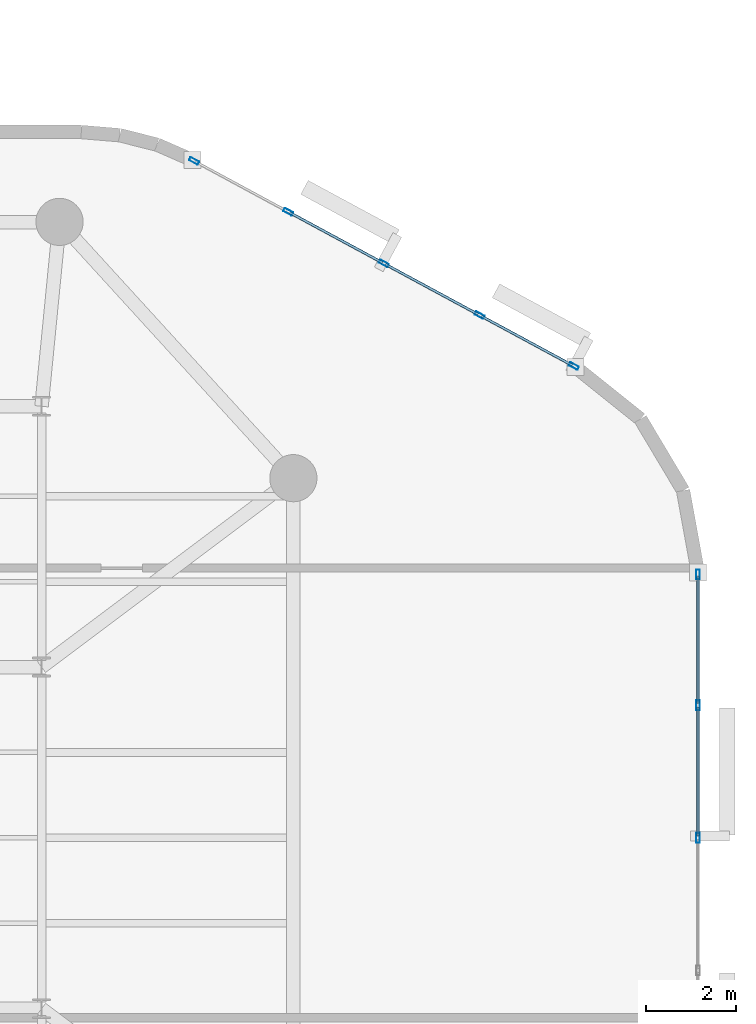
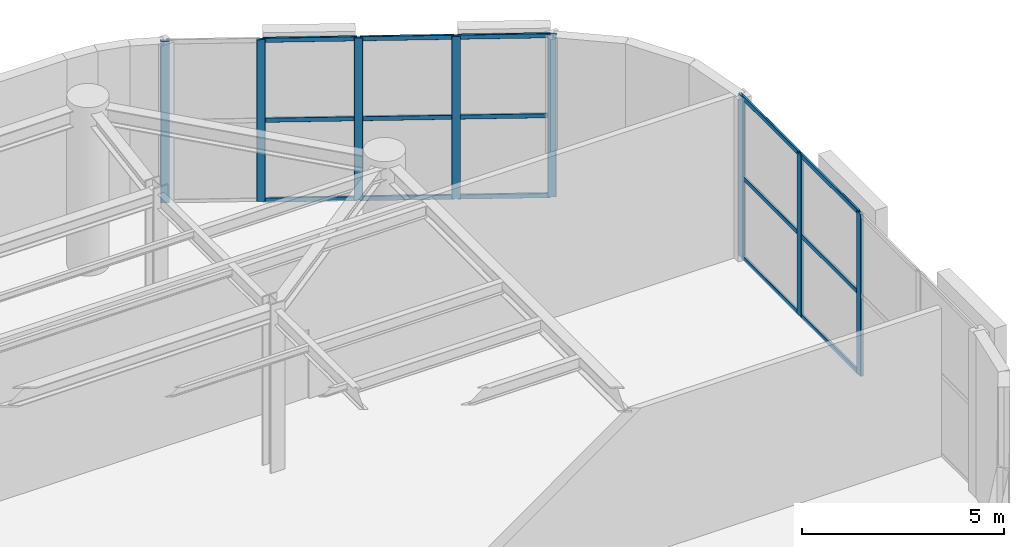
# One storey, part 5 of 11: 23 members, 2 elements without a shape of their own.
"""IFC4 building model written with IfcOpenShell, lengths in metres."""

from ifc_helpers import new_model, si_unit, direction, frame, origin, origin_2d, place, context, subcontext, project, spatial, hollow_rectangle, extrude, material, layer, layer_set, material_profile, profile_set, type_object, element, aggregate, save


model = new_model("IFC4")

# Units and contexts
model_context = context("Model", 3, precision=1e-05, world=origin(), true_north=direction((0.0, 1.0)))
body_context = subcontext(model_context, "Body", "Model", "MODEL_VIEW")
ifc_project = project(units=[si_unit("LENGTHUNIT", "METRE"), si_unit("AREAUNIT", "SQUARE_METRE"), si_unit("VOLUMEUNIT", "CUBIC_METRE"), si_unit("PLANEANGLEUNIT", "RADIAN"), si_unit("MASSUNIT", "GRAM", prefix="KILO")], contexts=[model_context])

# Site, building, storey
site_placement = place(None, origin())
site = spatial("IfcSite", under=ifc_project, at=site_placement, CompositionType="ELEMENT")
building_placement = place(site_placement, origin())
building = spatial("IfcBuilding", under=site, at=building_placement, Name="An Khanh Terracotta Commons", CompositionType="ELEMENT")
storey_placement = place(building_placement, frame((0.0, 0.0, 196.199951171875)))
storey = spatial("IfcBuildingStorey", under=building, at=storey_placement, Name="L51", CompositionType="ELEMENT", Elevation=196.199951171875)

# Curtain wall, members
ifc_material = material(Name="Anodised Aluminium 6063-T6", Category="aluminium")
ifc_layer = layer(ifc_material, 0.239990234375, Name="Anodised Aluminium 6063-T6")
ifc_layer_set = layer_set([ifc_layer], Name="Anodised Aluminium 6063-T6")
curtain_wall_type = type_object("IfcCurtainWallType", Name="CW-SYS-04", PredefinedType="USERDEFINED", material=ifc_layer_set)
curtain_wall_1_placement = place(storey_placement, origin())
curtain_wall_1 = element("IfcCurtainWall", 1, at=curtain_wall_1_placement, inside=storey, type_object=curtain_wall_type, Name="L51 CW-04 Unitised Curtain Wall CW-L51-12", ObjectType="UNITISED CURTAIN WALL", PredefinedType="USERDEFINED")
ifc_material_profile_1 = material_profile(ifc_material, hollow_rectangle(XDim=0.080078125, YDim=0.219970703125, WallThickness=0.0048828125, InnerFilletRadius=0.0048828125, OuterFilletRadius=0.010009765625, at=origin_2d()), Name="RHS220x80x5")
ifc_profile_set_1 = profile_set([ifc_material_profile_1], Name="Anodised Aluminium 6063-T6")
member_type_1 = type_object("IfcMemberType", Name="CWM-RHS220x80x5", PredefinedType="MULLION", material=ifc_profile_set_1)
member_1_placement = place(storey_placement, frame((68.60009765625, 24.0, 0.0), z_axis=(0.0, 0.0, 1.0), x_axis=(-1.0, 0.0, 0.0)))
member_1 = element("IfcMember", 2, at=member_1_placement, type_object=member_type_1, Name="CW-04 mullion 3", PredefinedType="MULLION", context=body_context, shape_type="SweptSolid", body=[
    extrude(hollow_rectangle(XDim=0.080078125, YDim=0.219970703125, WallThickness=0.0048828125, InnerFilletRadius=0.0048828125, OuterFilletRadius=0.010009765625, at=origin_2d()), origin(), (0.0, 0.0, 1.0), 4.900146484375),
])
member_2_placement = place(storey_placement, frame((68.60009765625, 26.949462890625, 0.0), z_axis=(0.0, 0.0, 1.0), x_axis=(-1.0, 0.0, 0.0)))
member_2 = element("IfcMember", 3, at=member_2_placement, type_object=member_type_1, Name="CW-04 mullion 4", PredefinedType="MULLION", context=body_context, shape_type="SweptSolid", body=[
    extrude(hollow_rectangle(XDim=0.080078125, YDim=0.219970703125, WallThickness=0.0048828125, InnerFilletRadius=0.0048828125, OuterFilletRadius=0.010009765625, at=origin_2d()), origin(), (0.0, 0.0, 1.0), 4.900146484375),
])
member_3_placement = place(storey_placement, frame((68.60009765625, 29.85888671875, 0.0), z_axis=(0.0, 0.0, 1.0), x_axis=(-1.0, 0.0, 0.0)))
member_3 = element("IfcMember", 4, at=member_3_placement, type_object=member_type_1, Name="CW-04 mullion 5", PredefinedType="MULLION", context=body_context, shape_type="SweptSolid", body=[
    extrude(hollow_rectangle(XDim=0.080078125, YDim=0.219970703125, WallThickness=0.0048828125, InnerFilletRadius=0.0048828125, OuterFilletRadius=0.010009765625, at=origin_2d()), origin(), (0.0, 0.0, 1.0), 4.900146484375),
])

curtain_wall_2_placement = place(storey_placement, origin())
curtain_wall_2 = element("IfcCurtainWall", 5, at=curtain_wall_2_placement, inside=storey, type_object=curtain_wall_type, Name="L51 CW-04 Unitised Curtain Wall CW-L51-16", ObjectType="UNITISED CURTAIN WALL", PredefinedType="USERDEFINED")
member_4_placement = place(storey_placement, frame((65.8369140625, 34.492919921875, 0.0), z_axis=(0.0, 0.0, 1.0), x_axis=(-0.47538088298, -0.879780095306, 0.0)))
member_4 = element("IfcMember", 6, at=member_4_placement, type_object=member_type_1, Name="CW-04 mullion 1", PredefinedType="MULLION", context=body_context, shape_type="SweptSolid", body=[
    extrude(hollow_rectangle(XDim=0.080078125, YDim=0.219970703125, WallThickness=0.0048828125, InnerFilletRadius=0.0048828125, OuterFilletRadius=0.010009765625, at=origin_2d()), origin(), (0.0, 0.0, 1.0), 4.900146484375),
])
member_5_placement = place(storey_placement, frame((63.7431640625, 35.624267578125, 0.0), z_axis=(0.0, 0.0, 1.0), x_axis=(-0.47538088298, -0.879780095306, 0.0)))
member_5 = element("IfcMember", 7, at=member_5_placement, type_object=member_type_1, Name="CW-04 mullion 2", PredefinedType="MULLION", context=body_context, shape_type="SweptSolid", body=[
    extrude(hollow_rectangle(XDim=0.080078125, YDim=0.219970703125, WallThickness=0.0048828125, InnerFilletRadius=0.0048828125, OuterFilletRadius=0.010009765625, at=origin_2d()), origin(), (0.0, 0.0, 1.0), 4.900146484375),
])
member_6_placement = place(storey_placement, frame((61.614501953125, 36.7744140625, 0.0), z_axis=(0.0, 0.0, 1.0), x_axis=(-0.47538088298, -0.879780095306, 0.0)))
member_6 = element("IfcMember", 8, at=member_6_placement, type_object=member_type_1, Name="CW-04 mullion 3", PredefinedType="MULLION", context=body_context, shape_type="SweptSolid", body=[
    extrude(hollow_rectangle(XDim=0.080078125, YDim=0.219970703125, WallThickness=0.0048828125, InnerFilletRadius=0.0048828125, OuterFilletRadius=0.010009765625, at=origin_2d()), origin(), (0.0, 0.0, 1.0), 4.900146484375),
])
member_7_placement = place(storey_placement, frame((59.48583984375, 37.9248046875, 0.0), z_axis=(0.0, 0.0, 1.0), x_axis=(-0.47538088298, -0.879780095306, 0.0)))
member_7 = element("IfcMember", 9, at=member_7_placement, type_object=member_type_1, Name="CW-04 mullion 4", PredefinedType="MULLION", context=body_context, shape_type="SweptSolid", body=[
    extrude(hollow_rectangle(XDim=0.080078125, YDim=0.219970703125, WallThickness=0.0048828125, InnerFilletRadius=0.0048828125, OuterFilletRadius=0.010009765625, at=origin_2d()), origin(), (0.0, 0.0, 1.0), 4.900146484375),
])
member_8_placement = place(storey_placement, frame((57.39208984375, 39.055908203125, 0.0), z_axis=(0.0, 0.0, 1.0), x_axis=(-0.47538088298, -0.879780095306, 0.0)))
member_8 = element("IfcMember", 10, at=member_8_placement, type_object=member_type_1, Name="CW-04 mullion 5", PredefinedType="MULLION", context=body_context, shape_type="SweptSolid", body=[
    extrude(hollow_rectangle(XDim=0.080078125, YDim=0.219970703125, WallThickness=0.0048828125, InnerFilletRadius=0.0048828125, OuterFilletRadius=0.010009765625, at=origin_2d()), origin(), (0.0, 0.0, 1.0), 4.900146484375),
])

# Member
ifc_material_profile_2 = material_profile(ifc_material, hollow_rectangle(XDim=0.06005859375, YDim=0.135009765625, WallThickness=0.003662109375, InnerFilletRadius=0.003662109375, OuterFilletRadius=0.007080078125, at=origin_2d()), Name="RHS135x60x3.6")
ifc_profile_set_2 = profile_set([ifc_material_profile_2], Name="Anodised Aluminium 6063-T6")
member_type_2 = type_object("IfcMemberType", Name="CWT-RHS135x60x3.6", PredefinedType="USERDEFINED", material=ifc_profile_set_2)
member_9_placement = place(storey_placement, frame((68.60009765625, 24.0400390625, 0.030029296875), z_axis=(0.0, 1.0, 0.0), x_axis=(-1.0, 0.0, 0.0)))
member_9 = element("IfcMember", 11, at=member_9_placement, type_object=member_type_2, Name="CW-04 transom 3.1", ObjectType="TRANSOM", PredefinedType="USERDEFINED", context=body_context, shape_type="SweptSolid", body=[
    extrude(hollow_rectangle(XDim=0.06005859375, YDim=0.135009765625, WallThickness=0.003662109375, InnerFilletRadius=0.003662109375, OuterFilletRadius=0.007080078125, at=origin_2d()), origin(), (0.0, 0.0, 1.0), 2.869384765625),
])

member_10_placement = place(storey_placement, frame((68.60009765625, 24.0400390625, 2.449951171875), z_axis=(0.0, 1.0, 0.0), x_axis=(-1.0, 0.0, 0.0)))
member_10 = element("IfcMember", 12, at=member_10_placement, type_object=member_type_2, Name="CW-04 transom 3.2", ObjectType="TRANSOM", PredefinedType="USERDEFINED", context=body_context, shape_type="SweptSolid", body=[
    extrude(hollow_rectangle(XDim=0.06005859375, YDim=0.135009765625, WallThickness=0.003662109375, InnerFilletRadius=0.003662109375, OuterFilletRadius=0.007080078125, at=origin_2d()), origin(), (0.0, 0.0, 1.0), 2.869384765625),
])

member_11_placement = place(storey_placement, frame((68.60009765625, 24.0400390625, 4.8701171875), z_axis=(0.0, 1.0, 0.0), x_axis=(-1.0, 0.0, 0.0)))
member_11 = element("IfcMember", 13, at=member_11_placement, type_object=member_type_2, Name="CW-04 transom 3.3", ObjectType="TRANSOM", PredefinedType="USERDEFINED", context=body_context, shape_type="SweptSolid", body=[
    extrude(hollow_rectangle(XDim=0.06005859375, YDim=0.135009765625, WallThickness=0.003662109375, InnerFilletRadius=0.003662109375, OuterFilletRadius=0.007080078125, at=origin_2d()), origin(), (0.0, 0.0, 1.0), 2.869384765625),
])

member_12_placement = place(storey_placement, frame((68.60009765625, 26.989501953125, 0.030029296875), z_axis=(0.0, 1.0, 0.0), x_axis=(-1.0, 0.0, 0.0)))
member_12 = element("IfcMember", 14, at=member_12_placement, type_object=member_type_2, Name="CW-04 transom 4.1", ObjectType="TRANSOM", PredefinedType="USERDEFINED", context=body_context, shape_type="SweptSolid", body=[
    extrude(hollow_rectangle(XDim=0.06005859375, YDim=0.135009765625, WallThickness=0.003662109375, InnerFilletRadius=0.003662109375, OuterFilletRadius=0.007080078125, at=origin_2d()), origin(), (0.0, 0.0, 1.0), 2.82958984375),
])

member_13_placement = place(storey_placement, frame((68.60009765625, 26.989501953125, 2.449951171875), z_axis=(0.0, 1.0, 0.0), x_axis=(-1.0, 0.0, 0.0)))
member_13 = element("IfcMember", 15, at=member_13_placement, type_object=member_type_2, Name="CW-04 transom 4.2", ObjectType="TRANSOM", PredefinedType="USERDEFINED", context=body_context, shape_type="SweptSolid", body=[
    extrude(hollow_rectangle(XDim=0.06005859375, YDim=0.135009765625, WallThickness=0.003662109375, InnerFilletRadius=0.003662109375, OuterFilletRadius=0.007080078125, at=origin_2d()), origin(), (0.0, 0.0, 1.0), 2.82958984375),
])

member_14_placement = place(storey_placement, frame((68.60009765625, 26.989501953125, 4.8701171875), z_axis=(0.0, 1.0, 0.0), x_axis=(-1.0, 0.0, 0.0)))
member_14 = element("IfcMember", 16, at=member_14_placement, type_object=member_type_2, Name="CW-04 transom 4.3", ObjectType="TRANSOM", PredefinedType="USERDEFINED", context=body_context, shape_type="SweptSolid", body=[
    extrude(hollow_rectangle(XDim=0.06005859375, YDim=0.135009765625, WallThickness=0.003662109375, InnerFilletRadius=0.003662109375, OuterFilletRadius=0.007080078125, at=origin_2d()), origin(), (0.0, 0.0, 1.0), 2.82958984375),
])

aggregate(curtain_wall_1, [member_1, member_2, member_3, member_9, member_10, member_11, member_12, member_13, member_14])

member_15_placement = place(storey_placement, frame((65.801513671875, 34.511962890625, 0.030029296875), z_axis=(-0.879771319339, 0.47539712417, 0.0), x_axis=(-0.47539712417, -0.879771319339, 0.0)))
member_15 = element("IfcMember", 17, at=member_15_placement, type_object=member_type_2, Name="CW-04 transom 1.1", ObjectType="TRANSOM", PredefinedType="USERDEFINED", context=body_context, shape_type="SweptSolid", body=[
    extrude(hollow_rectangle(XDim=0.06005859375, YDim=0.135009765625, WallThickness=0.003662109375, InnerFilletRadius=0.003662109375, OuterFilletRadius=0.007080078125, at=origin_2d()), origin(), (0.0, 0.0, 1.0), 2.299560546875),
])

member_16_placement = place(storey_placement, frame((65.801513671875, 34.511962890625, 2.449951171875), z_axis=(-0.879771319339, 0.47539712417, 0.0), x_axis=(-0.47539712417, -0.879771319339, 0.0)))
member_16 = element("IfcMember", 18, at=member_16_placement, type_object=member_type_2, Name="CW-04 transom 1.2", ObjectType="TRANSOM", PredefinedType="USERDEFINED", context=body_context, shape_type="SweptSolid", body=[
    extrude(hollow_rectangle(XDim=0.06005859375, YDim=0.135009765625, WallThickness=0.003662109375, InnerFilletRadius=0.003662109375, OuterFilletRadius=0.007080078125, at=origin_2d()), origin(), (0.0, 0.0, 1.0), 2.299560546875),
])

member_17_placement = place(storey_placement, frame((65.801513671875, 34.511962890625, 4.8701171875), z_axis=(-0.879771319339, 0.47539712417, 0.0), x_axis=(-0.47539712417, -0.879771319339, 0.0)))
member_17 = element("IfcMember", 19, at=member_17_placement, type_object=member_type_2, Name="CW-04 transom 1.3", ObjectType="TRANSOM", PredefinedType="USERDEFINED", context=body_context, shape_type="SweptSolid", body=[
    extrude(hollow_rectangle(XDim=0.06005859375, YDim=0.135009765625, WallThickness=0.003662109375, InnerFilletRadius=0.003662109375, OuterFilletRadius=0.007080078125, at=origin_2d()), origin(), (0.0, 0.0, 1.0), 2.299560546875),
])

member_18_placement = place(storey_placement, frame((63.7080078125, 35.643310546875, 0.030029296875), z_axis=(-0.879806777471, 0.475331499393, 0.0), x_axis=(-0.475331499393, -0.879806777471, 0.0)))
member_18 = element("IfcMember", 20, at=member_18_placement, type_object=member_type_2, Name="CW-04 transom 2.1", ObjectType="TRANSOM", PredefinedType="USERDEFINED", context=body_context, shape_type="SweptSolid", body=[
    extrude(hollow_rectangle(XDim=0.06005859375, YDim=0.135009765625, WallThickness=0.003662109375, InnerFilletRadius=0.003662109375, OuterFilletRadius=0.007080078125, at=origin_2d()), origin(), (0.0, 0.0, 1.0), 2.339599609375),
])

member_19_placement = place(storey_placement, frame((63.7080078125, 35.643310546875, 2.449951171875), z_axis=(-0.879806777471, 0.475331499393, 0.0), x_axis=(-0.475331499393, -0.879806777471, 0.0)))
member_19 = element("IfcMember", 21, at=member_19_placement, type_object=member_type_2, Name="CW-04 transom 2.2", ObjectType="TRANSOM", PredefinedType="USERDEFINED", context=body_context, shape_type="SweptSolid", body=[
    extrude(hollow_rectangle(XDim=0.06005859375, YDim=0.135009765625, WallThickness=0.003662109375, InnerFilletRadius=0.003662109375, OuterFilletRadius=0.007080078125, at=origin_2d()), origin(), (0.0, 0.0, 1.0), 2.339599609375),
])

member_20_placement = place(storey_placement, frame((63.7080078125, 35.643310546875, 4.8701171875), z_axis=(-0.879806777471, 0.475331499393, 0.0), x_axis=(-0.475331499393, -0.879806777471, 0.0)))
member_20 = element("IfcMember", 22, at=member_20_placement, type_object=member_type_2, Name="CW-04 transom 2.3", ObjectType="TRANSOM", PredefinedType="USERDEFINED", context=body_context, shape_type="SweptSolid", body=[
    extrude(hollow_rectangle(XDim=0.06005859375, YDim=0.135009765625, WallThickness=0.003662109375, InnerFilletRadius=0.003662109375, OuterFilletRadius=0.007080078125, at=origin_2d()), origin(), (0.0, 0.0, 1.0), 2.339599609375),
])

member_21_placement = place(storey_placement, frame((61.579345703125, 36.79345703125, 0.030029296875), z_axis=(-0.879763135188, 0.475412269472, 0.0), x_axis=(-0.475412269472, -0.879763135188, 0.0)))
member_21 = element("IfcMember", 23, at=member_21_placement, type_object=member_type_2, Name="CW-04 transom 3.1", ObjectType="TRANSOM", PredefinedType="USERDEFINED", context=body_context, shape_type="SweptSolid", body=[
    extrude(hollow_rectangle(XDim=0.06005859375, YDim=0.135009765625, WallThickness=0.003662109375, InnerFilletRadius=0.003662109375, OuterFilletRadius=0.007080078125, at=origin_2d()), origin(), (0.0, 0.0, 1.0), 2.339599609375),
])

member_22_placement = place(storey_placement, frame((61.579345703125, 36.79345703125, 2.449951171875), z_axis=(-0.879763135188, 0.475412269472, 0.0), x_axis=(-0.475412269472, -0.879763135188, 0.0)))
member_22 = element("IfcMember", 24, at=member_22_placement, type_object=member_type_2, Name="CW-04 transom 3.2", ObjectType="TRANSOM", PredefinedType="USERDEFINED", context=body_context, shape_type="SweptSolid", body=[
    extrude(hollow_rectangle(XDim=0.06005859375, YDim=0.135009765625, WallThickness=0.003662109375, InnerFilletRadius=0.003662109375, OuterFilletRadius=0.007080078125, at=origin_2d()), origin(), (0.0, 0.0, 1.0), 2.339599609375),
])

member_23_placement = place(storey_placement, frame((61.579345703125, 36.79345703125, 4.8701171875), z_axis=(-0.879763135188, 0.475412269472, 0.0), x_axis=(-0.475412269472, -0.879763135188, 0.0)))
member_23 = element("IfcMember", 25, at=member_23_placement, type_object=member_type_2, Name="CW-04 transom 3.3", ObjectType="TRANSOM", PredefinedType="USERDEFINED", context=body_context, shape_type="SweptSolid", body=[
    extrude(hollow_rectangle(XDim=0.06005859375, YDim=0.135009765625, WallThickness=0.003662109375, InnerFilletRadius=0.003662109375, OuterFilletRadius=0.007080078125, at=origin_2d()), origin(), (0.0, 0.0, 1.0), 2.339599609375),
])

aggregate(curtain_wall_2, [member_4, member_5, member_6, member_7, member_8, member_15, member_16, member_17, member_18, member_19, member_20, member_21, member_22, member_23])

save(model, "model.ifc")
